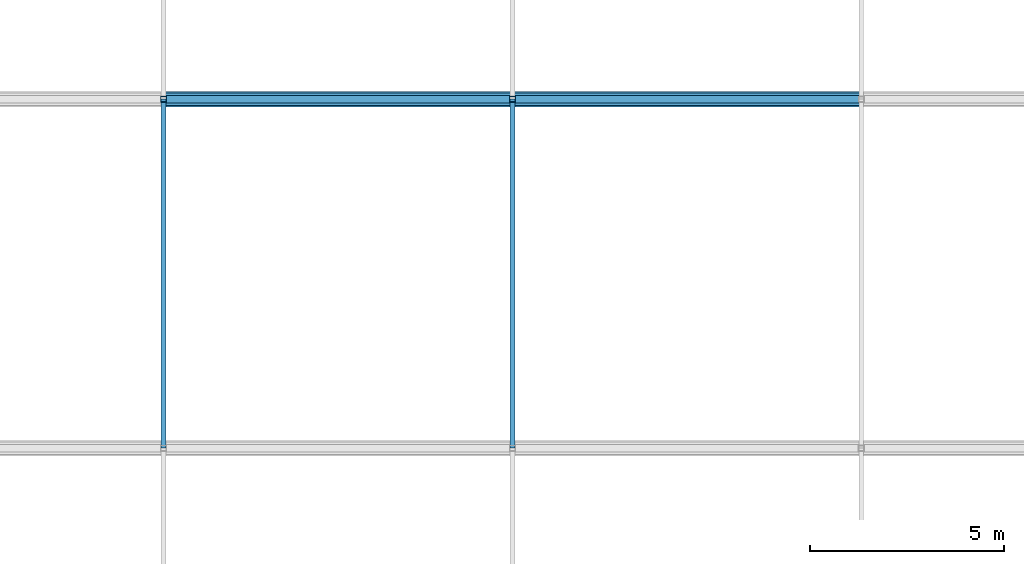
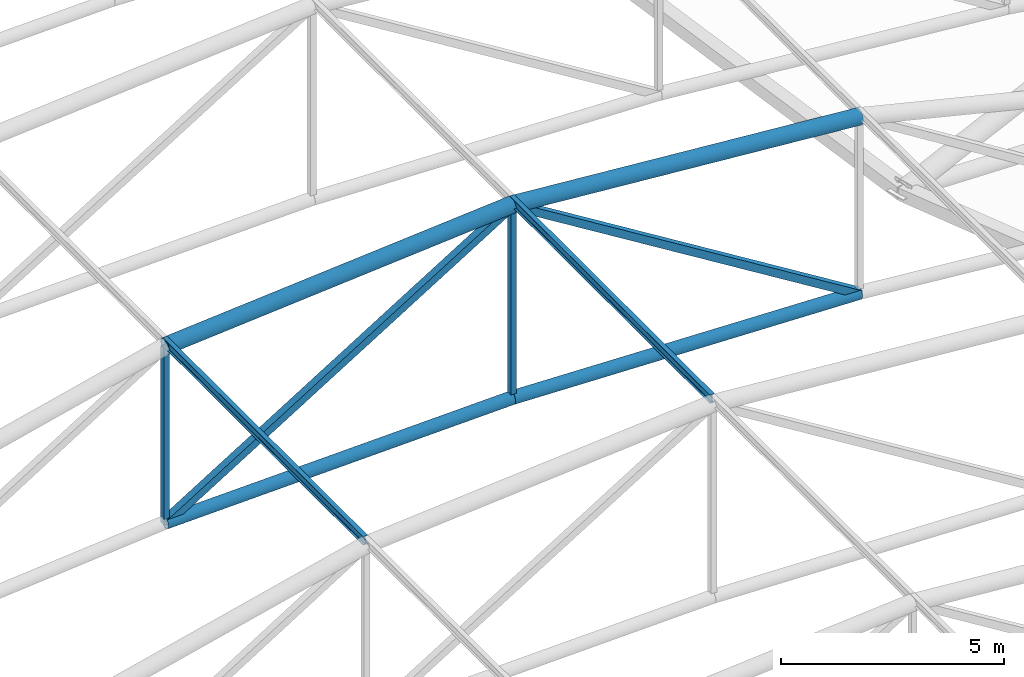
# One storey, part 13 of 167: 10 members.
"""IFC4 building model written with IfcOpenShell, lengths in metres."""

import ifcopenshell
import ifcopenshell.guid

model = None  # the IFC model being written
_history = None  # IfcOwnerHistory: only IFC2X3 demands one
_inside = {}  # id of a spatial element -> (the spatial element, [elements in it])
_under = {}  # id of a project, library or spatial element -> (it, [spatial elements below it])
_declared = {}  # id of a project -> (the project, [libraries it declares])
_typed = {}  # id of a type object -> (the type object, [elements of that type])
_made_of = {}  # id of a material, layer set ... -> (it, [elements and type objects made of it])


def new_model(schema):
    """Start an empty IFC model of exactly this schema.

    Asked for "IFC4X3", IfcOpenShell would pick the latest addendum, in which some entities
    have other attributes; the version numbers below select the first issue.
    IFC2X3 requires an IfcOwnerHistory on every rooted entity: one is made here for all.
    """
    global model, _history
    if schema == "IFC4X3":
        model = ifcopenshell.file(schema_version=(4, 3, 0, 0))
    else:
        model = ifcopenshell.file(schema=schema)
    _inside.clear()
    _under.clear()
    _declared.clear()
    _typed.clear()
    _made_of.clear()
    _history = None
    if model.schema == "IFC2X3":
        org = make("IfcOrganization", Name="unknown")
        user = make(
            "IfcPersonAndOrganization",
            ThePerson=make("IfcPerson", FamilyName="unknown"),
            TheOrganization=org,
        )
        app = make(
            "IfcApplication",
            ApplicationDeveloper=org,
            Version="unknown",
            ApplicationFullName="unknown",
            ApplicationIdentifier="unknown",
        )
        _history = make(
            "IfcOwnerHistory",
            OwningUser=user,
            OwningApplication=app,
            ChangeAction="ADDED",
            CreationDate=0,
        )
    return model


def make(cls, **values):
    """One entity of the class cls with the attributes given. An attribute that is None is left unset."""
    return model.create_entity(
        cls, **{name: value for name, value in values.items() if value is not None}
    )


def rooted(cls, **values):
    """An entity with a GlobalId (a new one), such as an element, a storey or a relation."""
    return make(cls, GlobalId=ifcopenshell.guid.new(), OwnerHistory=_history, **values)


def si_unit(unit_type, name, prefix=None):
    """IfcSIUnit, for example si_unit("LENGTHUNIT", "METRE", prefix="MILLI")."""
    return make("IfcSIUnit", UnitType=unit_type, Prefix=prefix, Name=name)


def assignment(units):
    """IfcUnitAssignment: the units of a project."""
    return None if units is None else make("IfcUnitAssignment", Units=units)


def point(xyz):
    """IfcCartesianPoint."""
    return None if xyz is None else make("IfcCartesianPoint", Coordinates=xyz)


def direction(xyz):
    """IfcDirection."""
    return None if xyz is None else make("IfcDirection", DirectionRatios=xyz)


def frame(location, z_axis=None, x_axis=None):
    """IfcAxis2Placement3D, a coordinate frame: its origin and axes. An axis left out is left unset."""
    return make(
        "IfcAxis2Placement3D",
        Location=point(location),
        Axis=direction(z_axis),
        RefDirection=direction(x_axis),
    )


def frame_2d(location, x_axis=None):
    """IfcAxis2Placement2D, a coordinate frame in the plane: its origin and x axis."""
    return make(
        "IfcAxis2Placement2D", Location=point(location), RefDirection=direction(x_axis)
    )


def origin():
    """The frame at (0, 0, 0) with its axes left unset."""
    return frame((0.0, 0.0, 0.0))


def origin_2d():
    """The frame at (0, 0) in the plane with its x axis left unset."""
    return frame_2d((0.0, 0.0))


def place(relative_to, where):
    """IfcLocalPlacement: puts the frame where relative to a parent placement (None: the world)."""
    return make(
        "IfcLocalPlacement", PlacementRelTo=relative_to, RelativePlacement=where
    )


def context(
    kind, dimensions, precision=None, world=None, true_north=None, identifier=None
):
    """IfcGeometricRepresentationContext, for example the 3D "Model" context."""
    return make(
        "IfcGeometricRepresentationContext",
        ContextIdentifier=identifier,
        ContextType=kind,
        CoordinateSpaceDimension=dimensions,
        Precision=precision,
        WorldCoordinateSystem=world,
        TrueNorth=true_north,
    )


def subcontext(parent, identifier, kind, view, scale=None):
    """IfcGeometricRepresentationSubContext, for example "Body" below "Model"."""
    return make(
        "IfcGeometricRepresentationSubContext",
        ContextIdentifier=identifier,
        ContextType=kind,
        ParentContext=parent,
        TargetScale=scale,
        TargetView=view,
    )


def project(units=None, contexts=None):
    """IfcProject with its units and contexts."""
    return rooted(
        "IfcProject",
        Name="project",
        RepresentationContexts=contexts,
        UnitsInContext=assignment(units),
    )


def spatial(cls, under=None, at=None, **own):
    """A site, building, storey or space (cls), placed at a placement, below another one or the project."""
    s = rooted(cls, ObjectPlacement=at, **own)
    if under is not None:
        _under.setdefault(under.id(), (under, []))[1].append(s)
    return s


def profile(cls, at=None, kind="AREA", **sizes):
    """A parametric profile (cls). Its sizes go by their IFC names, for example OverallWidth=200.0."""
    return make(cls, ProfileType=kind, Position=at, **sizes)


def hollow_rectangle(**sizes):
    """IfcRectangleHollowProfileDef."""
    return profile("IfcRectangleHollowProfileDef", **sizes)


def hollow_circle(**sizes):
    """IfcCircleHollowProfileDef."""
    return profile("IfcCircleHollowProfileDef", **sizes)


def i_section(**sizes):
    """IfcIShapeProfileDef."""
    return profile("IfcIShapeProfileDef", **sizes)


def extrude(swept, where, along, depth):
    """IfcExtrudedAreaSolid: the profile swept, set in the frame where, extruded along a direction by depth."""
    return make(
        "IfcExtrudedAreaSolid",
        SweptArea=swept,
        Position=where,
        ExtrudedDirection=direction(along),
        Depth=depth,
    )


def shape(context_of_items, identifier, shape_type, items):
    """IfcShapeRepresentation: the items that make up one representation, for example the "Body"."""
    return make(
        "IfcShapeRepresentation",
        ContextOfItems=context_of_items,
        RepresentationIdentifier=identifier,
        RepresentationType=shape_type,
        Items=items,
    )


def material(Name=None, Category=None):
    """IfcMaterial."""
    return make("IfcMaterial", Name=Name, Category=Category)


def material_profile(
    of_material, cross_section, Name=None, Category=None, Priority=None
):
    """IfcMaterialProfile: a cross section and its material."""
    return make(
        "IfcMaterialProfile",
        Name=Name,
        Material=of_material,
        Profile=cross_section,
        Priority=Priority,
        Category=Category,
    )


def profile_set(profiles, Name=None, composite=None):
    """IfcMaterialProfileSet."""
    return make(
        "IfcMaterialProfileSet",
        Name=Name,
        MaterialProfiles=profiles,
        CompositeProfile=composite,
    )


def made_of(thing, what):
    """Note that an element or type object is made of a material, layer set ...; save() writes the relation."""
    if what is not None:
        _made_of.setdefault(what.id(), (what, []))[1].append(thing)
    return thing


def type_object(cls, material=None, **own):
    """A type object (cls), such as IfcWallType, which elements share."""
    return made_of(rooted(cls, **own), material)


def element(
    cls,
    number,
    at=None,
    inside=None,
    cuts=None,
    type_object=None,
    material=None,
    context=None,
    identifier="Body",
    shape_type=None,
    held_by="IfcProductDefinitionShape",
    body=None,
    shapes=None,
    **own,
):
    """One element of the class cls, such as IfcWall. Its Tag is "e" and its number.

    at: its placement. inside: the storey or other place that contains it. cuts: it is an
    opening in that element (IfcRelVoidsElement). A single representation is given by context,
    identifier, shape_type and body (its items); several are given by shapes. held_by: the class
    of the entity that holds the representations. save() writes the other relations.
    """
    e = rooted(cls, Tag="e%d" % number, ObjectPlacement=at, **own)
    if body is not None:
        shapes = [shape(context, identifier, shape_type, body)]
    if shapes is not None:
        e.Representation = make(held_by, Representations=shapes)
    if inside is not None:
        _inside.setdefault(inside.id(), (inside, []))[1].append(e)
    if cuts is not None:
        rooted(
            "IfcRelVoidsElement", RelatingBuildingElement=cuts, RelatedOpeningElement=e
        )
    if type_object is not None:
        _typed.setdefault(type_object.id(), (type_object, []))[1].append(e)
    return made_of(e, material)


def aggregate(whole, parts):
    """IfcRelAggregates: a whole, such as a stair, and the parts it consists of."""
    return rooted("IfcRelAggregates", RelatingObject=whole, RelatedObjects=parts)


def save(model, path):
    """Write the relations noted so far, then the file.

    IfcRelAggregates (storeys below a building ...), IfcRelContainedInSpatialStructure (elements
    in a storey), IfcRelDefinesByType, IfcRelAssociatesMaterial and IfcRelDeclares: one each for
    every whole, place, type object, material and project.
    """
    for whole, parts in _under.values():
        aggregate(whole, parts)
    for where, things in _inside.values():
        rooted(
            "IfcRelContainedInSpatialStructure",
            RelatedElements=things,
            RelatingStructure=where,
        )
    for kind, things in _typed.values():
        rooted("IfcRelDefinesByType", RelatedObjects=things, RelatingType=kind)
    for what, things in _made_of.values():
        rooted("IfcRelAssociatesMaterial", RelatedObjects=things, RelatingMaterial=what)
    for by, libraries in _declared.values():
        rooted("IfcRelDeclares", RelatingContext=by, RelatedDefinitions=libraries)
    model.write(path)


model = new_model("IFC4")

# Units and contexts
model_context = context("Model", 3, precision=1e-05, world=origin(), true_north=direction((0.0, 1.0)))
body_context = subcontext(model_context, "Body", "Model", "MODEL_VIEW")
ifc_project = project(units=[si_unit("LENGTHUNIT", "METRE"), si_unit("AREAUNIT", "SQUARE_METRE"), si_unit("VOLUMEUNIT", "CUBIC_METRE"), si_unit("PLANEANGLEUNIT", "RADIAN"), si_unit("MASSUNIT", "GRAM", prefix="KILO")], contexts=[model_context])

# Site, building, storey
site_placement = place(None, origin())
site = spatial("IfcSite", under=ifc_project, at=site_placement, CompositionType="ELEMENT")
building_placement = place(site_placement, origin())
building = spatial("IfcBuilding", under=site, at=building_placement, Name="Dornveld Trade and Exhibition Forum", CompositionType="ELEMENT")
storey_placement = place(building_placement, frame((0.0, 0.0, 16.800048828125)))
storey = spatial("IfcBuildingStorey", under=building, at=storey_placement, Name="L03", CompositionType="ELEMENT", Elevation=16.800048828125)

# Members
ifc_material_1 = material(Name="Steel S355J2", Category="steel")
ifc_material_profile_1 = material_profile(ifc_material_1, hollow_circle(Radius=0.161865234375, WallThickness=0.01611328125, at=origin_2d()), Name="CHS 323.9x16")
ifc_profile_set_1 = profile_set([ifc_material_profile_1], Name="Steel S355J2")
member_type_1 = type_object("IfcMemberType", Name="MEM-ARCH-BC", PredefinedType="CHORD", material=ifc_profile_set_1)
for number, where, z_axis, x_axis, name in (
    (1, (45.0, 63.0, 6.083251953125), (0.999561545365, 0.0, 0.029609407757), (0.0, 1.0, 0.0), "H3 truss 4 tie chord 3"),
    (2, (54.0, 63.0, 6.349853515625), (0.999561545365, 0.0, -0.029609407757), (0.0, 1.0, 0.0), "H3 truss 4 tie chord 4"),
):
    element("IfcMember", number, at=place(storey_placement, frame(where, z_axis=z_axis, x_axis=x_axis)), inside=storey, type_object=member_type_1, Name=name, PredefinedType="CHORD", context=body_context, shape_type="SweptSolid", body=[
        extrude(hollow_circle(Radius=0.161865234375, WallThickness=0.01611328125, at=origin_2d()), origin(), (0.0, 0.0, 1.0), 9.00390625),
    ])
ifc_material_2 = material(Name="Steel S355J2", Category="steel")
ifc_material_profile_2 = material_profile(ifc_material_2, hollow_rectangle(XDim=0.14990234375, YDim=0.14990234375, WallThickness=0.008056640625, at=origin_2d()), Name="SHS 150x150x8")
ifc_profile_set_2 = profile_set([ifc_material_profile_2], Name="Steel S355J2")
member_type_2 = type_object("IfcMemberType", Name="MEM-ARCH-STR", PredefinedType="STRUT", material=ifc_profile_set_2)
member_1_placement = place(storey_placement, frame((45.0, 63.0, 6.083251953125), z_axis=(0.0, 0.0, 1.0), x_axis=(1.0, 0.0, 0.0)))
element("IfcMember", 3, at=member_1_placement, inside=storey, type_object=member_type_2, Name="H3 truss 4 strut 3", PredefinedType="STRUT", context=body_context, shape_type="SweptSolid", body=[
    extrude(hollow_rectangle(XDim=0.14990234375, YDim=0.14990234375, WallThickness=0.008056640625, at=origin_2d()), origin(), (0.0, 0.0, 1.0), 4.83349609375),
])
member_2_placement = place(storey_placement, frame((54.0, 63.0, 6.349853515625), z_axis=(0.0, 0.0, 1.0), x_axis=(1.0, 0.0, 0.0)))
element("IfcMember", 4, at=member_2_placement, inside=storey, type_object=member_type_2, Name="H3 truss 4 strut 4", PredefinedType="STRUT", context=body_context, shape_type="SweptSolid", body=[
    extrude(hollow_rectangle(XDim=0.14990234375, YDim=0.14990234375, WallThickness=0.008056640625, at=origin_2d()), origin(), (0.0, 0.0, 1.0), 5.300048828125),
])
ifc_material_3 = material(Name="Steel S355J2", Category="steel")
ifc_material_profile_3 = material_profile(ifc_material_3, hollow_circle(Radius=0.203125, WallThickness=0.02001953125, at=origin_2d()), Name="CHS 406.4x20")
ifc_profile_set_3 = profile_set([ifc_material_profile_3], Name="Steel S355J2")
member_type_3 = type_object("IfcMemberType", Name="MEM-ARCH-TC", PredefinedType="CHORD", material=ifc_profile_set_3)
for number, where, z_axis, x_axis, name in (
    (5, (45.0, 63.0, 10.916748046875), (0.996698427641, 0.0, 0.081192637213), (0.0, 1.0, 0.0), "H3 truss 4 top chord 3"),
    (6, (54.0, 63.0, 11.64990234375), (0.996698427641, 0.0, -0.081192637213), (0.0, 1.0, 0.0), "H3 truss 4 top chord 4"),
):
    element("IfcMember", number, at=place(storey_placement, frame(where, z_axis=z_axis, x_axis=x_axis)), inside=storey, type_object=member_type_3, Name=name, PredefinedType="CHORD", context=body_context, shape_type="SweptSolid", body=[
        extrude(hollow_circle(Radius=0.203125, WallThickness=0.02001953125, at=origin_2d()), origin(), (0.0, 0.0, 1.0), 9.02978515625),
    ])
ifc_material_4 = material(Name="Steel S355J2", Category="steel")
ifc_material_profile_4 = material_profile(ifc_material_4, hollow_rectangle(XDim=0.199951171875, YDim=0.199951171875, WallThickness=0.010009765625, at=origin_2d()), Name="SHS 200x200x10")
ifc_profile_set_4 = profile_set([ifc_material_profile_4], Name="Steel S355J2")
member_type_4 = type_object("IfcMemberType", Name="MEM-ARCH-WEB", PredefinedType="BRACE", material=ifc_profile_set_4)
for number, where, z_axis, x_axis, name in (
    (7, (45.0, 63.0, 6.083251953125), (0.850467158024, 0.0, 0.526028148603), (0.0, 1.0, 0.0), "H3 truss 4 web 3"),
    (8, (63.0, 63.0, 6.083251953125), (-0.850467158024, 0.0, 0.526028148603), (0.0, -1.0, 0.0), "H3 truss 4 web 4"),
):
    element("IfcMember", number, at=place(storey_placement, frame(where, z_axis=z_axis, x_axis=x_axis)), inside=storey, type_object=member_type_4, Name=name, PredefinedType="BRACE", context=body_context, shape_type="SweptSolid", body=[
        extrude(hollow_rectangle(XDim=0.199951171875, YDim=0.199951171875, WallThickness=0.010009765625, at=origin_2d()), origin(), (0.0, 0.0, 1.0), 10.58251953125),
    ])
ifc_material_5 = material(Name="Steel S355J2", Category="steel")
ifc_material_profile_5 = material_profile(ifc_material_5, i_section(OverallWidth=0.1201171875, OverallDepth=0.239990234375, WebThickness=0.006103515625, FlangeThickness=0.009765625, FilletRadius=0.014892578125, at=origin_2d()), Name="IPE 240")
ifc_profile_set_5 = profile_set([ifc_material_profile_5], Name="Steel S355J2")
member_type_5 = type_object("IfcMemberType", Name="MEM-PURLIN-240", PredefinedType="PURLIN", material=ifc_profile_set_5)
for number, where, z_axis, x_axis, name in (
    (9, (45.0, 54.0, 11.048583984375), (0.0, 1.0, 0.0), (-1.0, 0.0, 0.0), "H3 bay 3 roof purlin 3"),
    (10, (54.0, 54.0, 11.781982421875), (0.0, 1.0, 0.0), (-1.0, 0.0, 0.0), "H3 bay 3 roof purlin 4"),
):
    element("IfcMember", number, at=place(storey_placement, frame(where, z_axis=z_axis, x_axis=x_axis)), inside=storey, type_object=member_type_5, Name=name, PredefinedType="PURLIN", context=body_context, shape_type="SweptSolid", body=[
        extrude(i_section(OverallWidth=0.1201171875, OverallDepth=0.239990234375, WebThickness=0.006103515625, FlangeThickness=0.009765625, FilletRadius=0.014892578125, at=origin_2d()), origin(), (0.0, 0.0, 1.0), 9.0),
    ])

save(model, "model.ifc")
